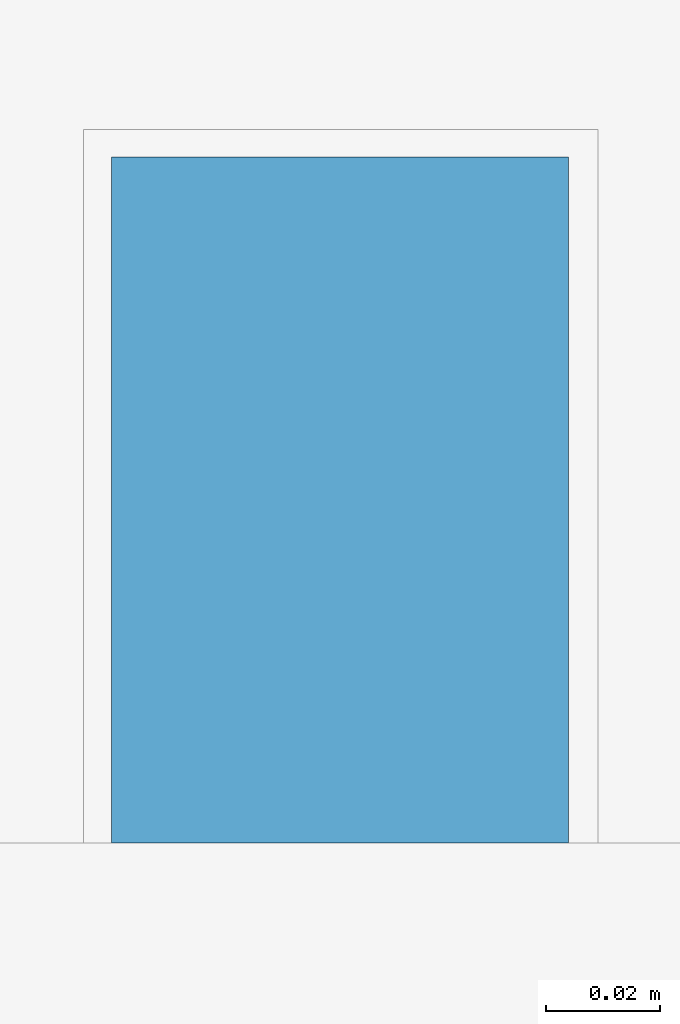
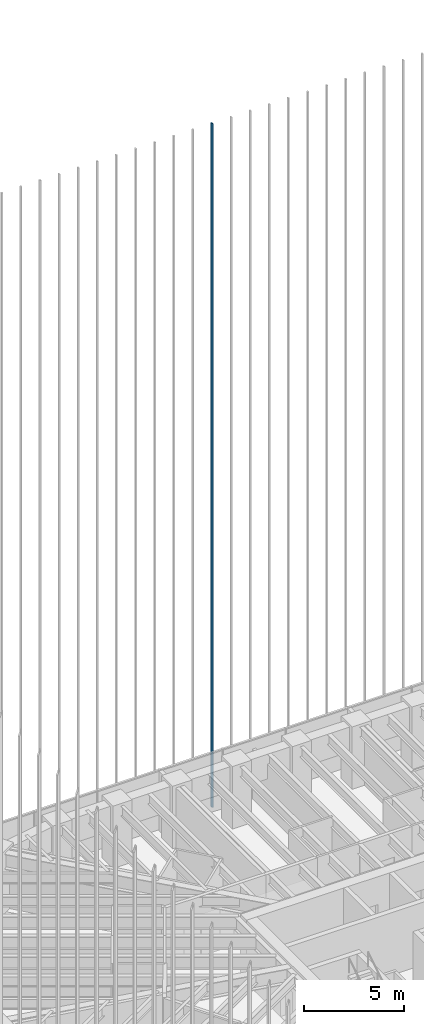
# One storey, part 83 of 127: 1 member, 1 element without a shape of its own.
"""IFC4 building model written with IfcOpenShell, lengths in metres."""

from ifc_helpers import new_model, si_unit, direction, frame, origin, origin_2d, place, context, subcontext, project, spatial, rectangle, extrude, material, material_profile, profile_set, type_object, element, aggregate, save


model = new_model("IFC4")

# Units and contexts
model_context = context("Model", 3, precision=1e-05, world=origin(), true_north=direction((0.0, 1.0)))
body_context = subcontext(model_context, "Body", "Model", "MODEL_VIEW")
ifc_project = project(units=[si_unit("LENGTHUNIT", "METRE"), si_unit("AREAUNIT", "SQUARE_METRE"), si_unit("VOLUMEUNIT", "CUBIC_METRE"), si_unit("PLANEANGLEUNIT", "RADIAN"), si_unit("MASSUNIT", "GRAM", prefix="KILO")], contexts=[model_context])

# Site, building, storey
site_placement = place(None, origin())
site = spatial("IfcSite", under=ifc_project, at=site_placement, CompositionType="ELEMENT")
building_placement = place(site_placement, origin())
building = spatial("IfcBuilding", under=site, at=building_placement, Name="Sandreach Pilgrim Tower", CompositionType="ELEMENT")
storey_placement = place(building_placement, frame((0.0, 0.0, 257.0)))
storey = spatial("IfcBuildingStorey", under=building, at=storey_placement, Name="L64", CompositionType="ELEMENT", Elevation=257.0)

# Curtain wall, member
ifc_material_1 = material(Name="Aluminium framed curtain wall", Category="aluminium")
curtain_wall_type = type_object("IfcCurtainWallType", Name="Suite tower curtain wall", PredefinedType="NOTDEFINED", material=ifc_material_1)
curtain_wall_placement = place(storey_placement, origin())
curtain_wall = element("IfcCurtainWall", 1, at=curtain_wall_placement, inside=storey, type_object=curtain_wall_type, Name="CW-4 L64 N", PredefinedType="NOTDEFINED")
ifc_material_2 = material(Name="Extruded terracotta on aluminium core", Category="masonry")
ifc_material_profile = material_profile(ifc_material_2, rectangle(XDim=0.080078125, YDim=0.1201171875, at=origin_2d()), Name="TBN 80X120")
ifc_profile_set = profile_set([ifc_material_profile], Name="Extruded terracotta on aluminium core")
member_type = type_object("IfcMemberType", Name="Terracotta baguette north", PredefinedType="USERDEFINED", material=ifc_profile_set)
member_placement = place(storey_placement, frame((-2.200927734375, 20.1865234375, 0.0), z_axis=(0.0, 0.0, 1.0), x_axis=(1.0, 0.0, 0.0)))
member = element("IfcMember", 2, at=member_placement, type_object=member_type, Name="Baguette Z4 N13", ObjectType="BAGUETTE", PredefinedType="USERDEFINED", context=body_context, shape_type="SweptSolid", body=[
    extrude(rectangle(XDim=0.080078125, YDim=0.1201171875, at=origin_2d()), origin(), (0.0, 0.0, 1.0), 41.639892578125),
])
aggregate(curtain_wall, [member])

save(model, "model.ifc")
